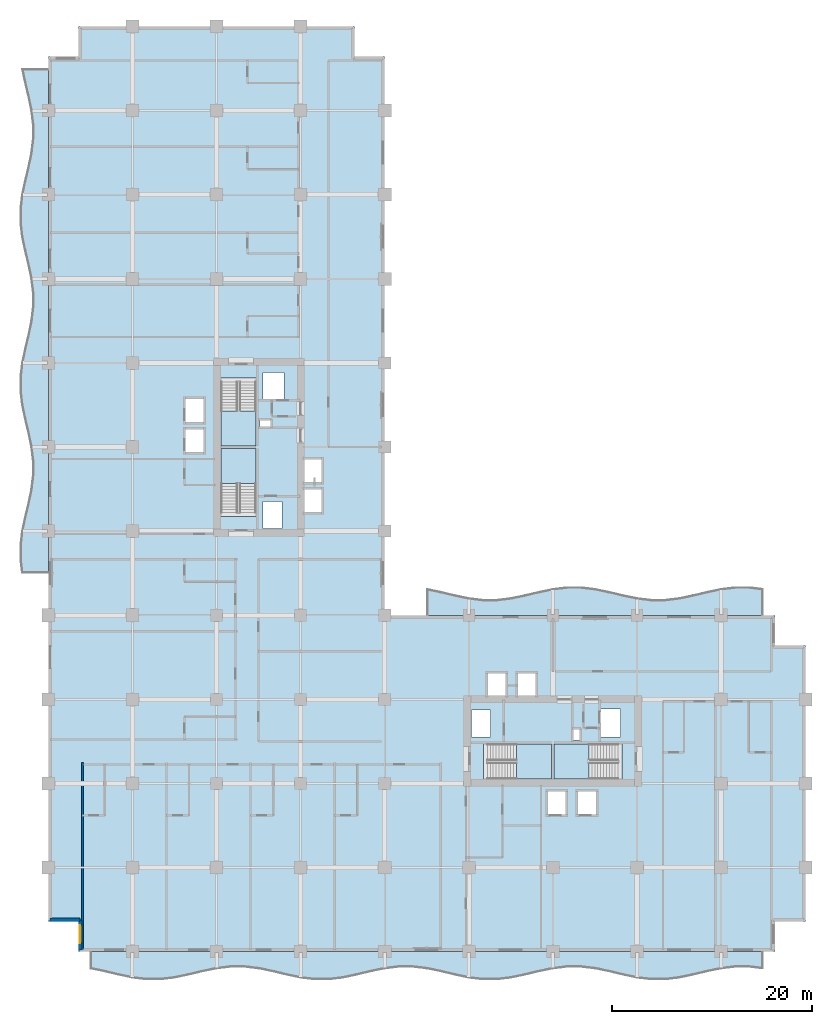
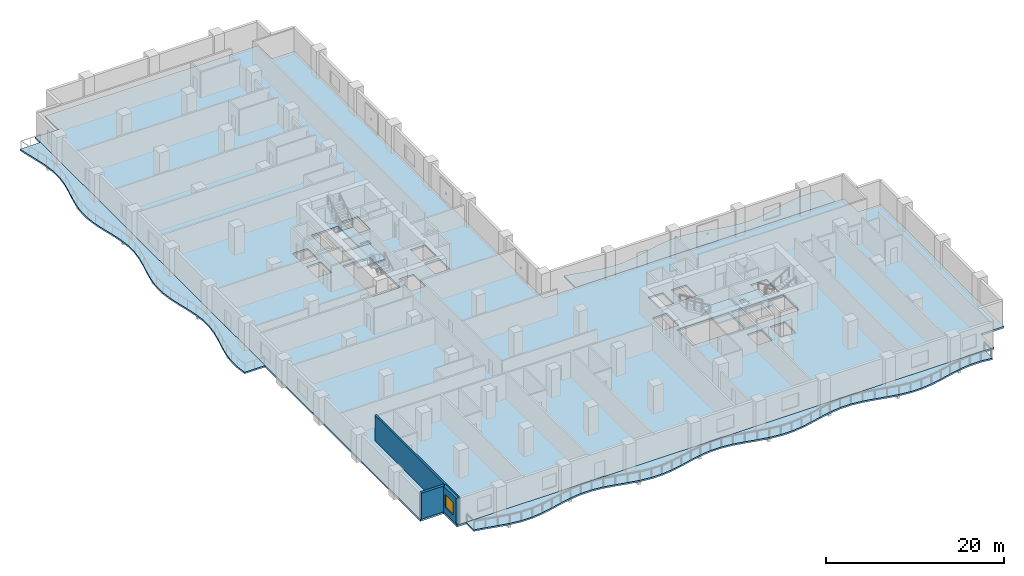
# One storey, part 3 of 18: 8 slabs, 3 walls, 1 window, 1 opening, 4 elements without a shape of their own.
"""IFC4 building model written with IfcOpenShell, lengths in metres."""

from ifc_helpers import new_model, si_unit, direction, frame, frame_2d, origin, place, context, subcontext, project, spatial, polyline, rectangle, outline, extrude, material, layer, layer_set, type_object, element, fill, aggregate, save


model = new_model("IFC4")

# Units and contexts
model_context = context("Model", 3, precision=1e-05, world=origin(), true_north=direction((0.0, 1.0)))
body_context = subcontext(model_context, "Body", "Model", "MODEL_VIEW")
ifc_project = project(units=[si_unit("LENGTHUNIT", "METRE"), si_unit("AREAUNIT", "SQUARE_METRE"), si_unit("VOLUMEUNIT", "CUBIC_METRE"), si_unit("PLANEANGLEUNIT", "RADIAN"), si_unit("MASSUNIT", "GRAM", prefix="KILO")], contexts=[model_context])

# Site, building, storey
site_placement = place(None, origin())
site = spatial("IfcSite", under=ifc_project, at=site_placement, CompositionType="ELEMENT")
building_placement = place(site_placement, origin())
building = spatial("IfcBuilding", under=site, at=building_placement, Name="Koriwani Terraces Tower", CompositionType="ELEMENT")
storey_placement = place(building_placement, frame((0.0, 0.0, 107.60009765625)))
storey = spatial("IfcBuildingStorey", under=building, at=storey_placement, Name="L25", CompositionType="ELEMENT", Elevation=107.60009765625)

# Slabs
ifc_material_1 = material(Name="Concrete C40/50", Category="concrete")
ifc_layer_1 = layer(ifc_material_1, 0.219970703125, Name="Concrete C40/50")
ifc_layer_set_1 = layer_set([ifc_layer_1], Name="Concrete C40/50")
slab_type_1 = type_object("IfcSlabType", Name="SLAB_BALCONY_220", PredefinedType="FLOOR", material=ifc_layer_set_1)
slab_1_placement = place(storey_placement, frame((0.0, 0.0, -0.22021484375)))
element("IfcSlab", 1, at=slab_1_placement, inside=storey, type_object=slab_type_1, Name="L25 Quilted Circular-Arc Balcony (S)", PredefinedType="FLOOR", context=body_context, shape_type="SweptSolid", body=[
    extrude(outline(polyline([(4.199951171875, 0.0), (5.60009765625, 0.0), (7.0, 0.0), (8.39990234375, 0.0), (9.800048828125, 0.0), (11.199951171875, 0.0), (12.60009765625, 0.0), (14.0, 0.0), (15.39990234375, 0.0), (16.800048828125, 0.0), (18.199951171875, 0.0), (19.60009765625, 0.0), (21.0, 0.0), (22.39990234375, 0.0), (23.800048828125, 0.0), (25.199951171875, 0.0), (26.60009765625, 0.0), (28.0, 0.0), (29.39990234375, 0.0), (30.800048828125, 0.0), (32.199951171875, 0.0), (33.60009765625, 0.0), (35.0, 0.0), (36.39990234375, 0.0), (37.800048828125, 0.0), (39.199951171875, 0.0), (40.60009765625, 0.0), (42.0, 0.0), (43.39990234375, 0.0), (44.800048828125, 0.0), (46.199951171875, 0.0), (47.60009765625, 0.0), (49.0, 0.0), (50.39990234375, 0.0), (51.800048828125, 0.0), (53.199951171875, 0.0), (54.60009765625, 0.0), (56.0, 0.0), (57.39990234375, 0.0), (58.800048828125, 0.0), (60.199951171875, 0.0), (61.60009765625, 0.0), (63.0, 0.0), (64.39990234375, 0.0), (65.800048828125, 0.0), (67.199951171875, 0.0), (68.60009765625, 0.0), (70.0, 0.0), (71.39990234375, 0.0), (71.39990234375, -1.740478515625), (70.0, -1.572021484375), (68.60009765625, -1.572021484375), (67.199951171875, -1.740478515625), (65.800048828125, -2.03173828125), (64.39990234375, -2.3681640625), (63.0, -2.65966796875), (61.60009765625, -2.827880859375), (60.199951171875, -2.827880859375), (58.800048828125, -2.65966796875), (57.39990234375, -2.3681640625), (56.0, -2.03173828125), (54.60009765625, -1.740478515625), (53.199951171875, -1.572021484375), (51.800048828125, -1.572021484375), (50.39990234375, -1.740478515625), (49.0, -2.03173828125), (47.60009765625, -2.3681640625), (46.199951171875, -2.65966796875), (44.800048828125, -2.827880859375), (43.39990234375, -2.827880859375), (42.0, -2.65966796875), (40.60009765625, -2.3681640625), (39.199951171875, -2.03173828125), (37.800048828125, -1.740478515625), (36.39990234375, -1.572021484375), (35.0, -1.572021484375), (33.60009765625, -1.740478515625), (32.199951171875, -2.03173828125), (30.800048828125, -2.3681640625), (29.39990234375, -2.65966796875), (28.0, -2.827880859375), (26.60009765625, -2.827880859375), (25.199951171875, -2.65966796875), (23.800048828125, -2.3681640625), (22.39990234375, -2.03173828125), (21.0, -1.740478515625), (19.60009765625, -1.572021484375), (18.199951171875, -1.572021484375), (16.800048828125, -1.740478515625), (15.39990234375, -2.03173828125), (14.0, -2.3681640625), (12.60009765625, -2.65966796875), (11.199951171875, -2.827880859375), (9.800048828125, -2.827880859375), (8.39990234375, -2.65966796875), (7.0, -2.3681640625), (5.60009765625, -2.03173828125), (4.199951171875, -1.740478515625), (4.199951171875, 0.0)])), origin(), (0.0, 0.0, 1.0), 0.22021484375),
])
slab_2_placement = place(storey_placement, frame((0.0, 0.0, -0.22021484375)))
element("IfcSlab", 2, at=slab_2_placement, inside=storey, type_object=slab_type_1, Name="L25 Quilted Circular-Arc Balcony (W)", PredefinedType="FLOOR", context=body_context, shape_type="SweptSolid", body=[
    extrude(outline(polyline([(0.0, 37.800048828125), (0.0, 39.199951171875), (0.0, 40.60009765625), (0.0, 42.0), (0.0, 43.39990234375), (0.0, 44.800048828125), (0.0, 46.199951171875), (0.0, 47.60009765625), (0.0, 49.0), (0.0, 50.39990234375), (0.0, 51.800048828125), (0.0, 53.199951171875), (0.0, 54.60009765625), (0.0, 56.0), (0.0, 57.39990234375), (0.0, 58.800048828125), (0.0, 60.199951171875), (0.0, 61.60009765625), (0.0, 63.0), (0.0, 64.39990234375), (0.0, 65.800048828125), (0.0, 67.199951171875), (0.0, 68.60009765625), (0.0, 70.0), (0.0, 71.39990234375), (0.0, 72.800048828125), (0.0, 74.199951171875), (0.0, 75.60009765625), (0.0, 77.0), (0.0, 78.39990234375), (0.0, 79.800048828125), (0.0, 81.199951171875), (0.0, 82.60009765625), (0.0, 84.0), (0.0, 85.39990234375), (0.0, 86.800048828125), (0.0, 88.199951171875), (-2.65966796875, 88.199951171875), (-2.3681640625, 86.800048828125), (-2.03173828125, 85.39990234375), (-1.740478515625, 84.0), (-1.572021484375, 82.60009765625), (-1.572021484375, 81.199951171875), (-1.740478515625, 79.800048828125), (-2.03173828125, 78.39990234375), (-2.3681640625, 77.0), (-2.65966796875, 75.60009765625), (-2.827880859375, 74.199951171875), (-2.827880859375, 72.800048828125), (-2.65966796875, 71.39990234375), (-2.3681640625, 70.0), (-2.03173828125, 68.60009765625), (-1.740478515625, 67.199951171875), (-1.572021484375, 65.800048828125), (-1.572021484375, 64.39990234375), (-1.740478515625, 63.0), (-2.03173828125, 61.60009765625), (-2.3681640625, 60.199951171875), (-2.65966796875, 58.800048828125), (-2.827880859375, 57.39990234375), (-2.827880859375, 56.0), (-2.65966796875, 54.60009765625), (-2.3681640625, 53.199951171875), (-2.03173828125, 51.800048828125), (-1.740478515625, 50.39990234375), (-1.572021484375, 49.0), (-1.572021484375, 47.60009765625), (-1.740478515625, 46.199951171875), (-2.03173828125, 44.800048828125), (-2.3681640625, 43.39990234375), (-2.65966796875, 42.0), (-2.827880859375, 40.60009765625), (-2.827880859375, 39.199951171875), (-2.65966796875, 37.800048828125), (0.0, 37.800048828125)])), origin(), (0.0, 0.0, 1.0), 0.22021484375),
])
slab_3_placement = place(storey_placement, frame((0.0, 0.0, -0.22021484375)))
element("IfcSlab", 3, at=slab_3_placement, inside=storey, type_object=slab_type_1, Name="L25 Quilted Circular-Arc Balcony (NE)", PredefinedType="FLOOR", context=body_context, shape_type="SweptSolid", body=[
    extrude(outline(polyline([(71.39990234375, 33.60009765625), (70.0, 33.60009765625), (68.60009765625, 33.60009765625), (67.199951171875, 33.60009765625), (65.800048828125, 33.60009765625), (64.39990234375, 33.60009765625), (63.0, 33.60009765625), (61.60009765625, 33.60009765625), (60.199951171875, 33.60009765625), (58.800048828125, 33.60009765625), (57.39990234375, 33.60009765625), (56.0, 33.60009765625), (54.60009765625, 33.60009765625), (53.199951171875, 33.60009765625), (51.800048828125, 33.60009765625), (50.39990234375, 33.60009765625), (49.0, 33.60009765625), (47.60009765625, 33.60009765625), (46.199951171875, 33.60009765625), (44.800048828125, 33.60009765625), (43.39990234375, 33.60009765625), (42.0, 33.60009765625), (40.60009765625, 33.60009765625), (39.199951171875, 33.60009765625), (37.800048828125, 33.60009765625), (37.800048828125, 36.259521484375), (39.199951171875, 35.96826171875), (40.60009765625, 35.6318359375), (42.0, 35.34033203125), (43.39990234375, 35.172119140625), (44.800048828125, 35.172119140625), (46.199951171875, 35.34033203125), (47.60009765625, 35.6318359375), (49.0, 35.96826171875), (50.39990234375, 36.259521484375), (51.800048828125, 36.427978515625), (53.199951171875, 36.427978515625), (54.60009765625, 36.259521484375), (56.0, 35.96826171875), (57.39990234375, 35.6318359375), (58.800048828125, 35.34033203125), (60.199951171875, 35.172119140625), (61.60009765625, 35.172119140625), (63.0, 35.34033203125), (64.39990234375, 35.6318359375), (65.800048828125, 35.96826171875), (67.199951171875, 36.259521484375), (68.60009765625, 36.427978515625), (70.0, 36.427978515625), (71.39990234375, 36.259521484375), (71.39990234375, 33.60009765625)])), origin(), (0.0, 0.0, 1.0), 0.22021484375),
])

# Stair, slab
stair_type = type_object("IfcStairType", Name="STAIR_CORE_DOGLEG_1650", PredefinedType="TWO_STRAIGHT_RUN_STAIR", material=ifc_material_1)
stair_1_placement = place(storey_placement, origin())
stair_1 = element("IfcStair", 4, at=stair_1_placement, inside=storey, type_object=stair_type, Name="L25 West Core Exit Stair 1", PredefinedType="HALF_TURN_STAIR")
ifc_layer_2 = layer(ifc_material_1, 0.199951171875, Name="Concrete C40/50")
ifc_layer_set_2 = layer_set([ifc_layer_2], Name="Concrete C40/50")
slab_type_2 = type_object("IfcSlabType", Name="SLAB_STAIR_LANDING_200", PredefinedType="LANDING", material=ifc_layer_set_2)
slab_4_placement = place(storey_placement, frame((0.0, 0.0, 1.699951171875)))
slab_4 = element("IfcSlab", 5, at=slab_4_placement, type_object=slab_type_2, Name="ST-W1 landing 1", PredefinedType="LANDING", context=body_context, shape_type="SweptSolid", body=[
    extrude(outline(polyline([(20.75, 46.75), (20.75, 50.25), (17.25, 50.25), (17.25, 46.75), (20.75, 46.75)])), origin(), (0.0, 0.0, 1.0), 0.199951171875),
])
aggregate(stair_1, [slab_4])

stair_2_placement = place(storey_placement, origin())
stair_2 = element("IfcStair", 6, at=stair_2_placement, inside=storey, type_object=stair_type, Name="L25 West Core Exit Stair 2", PredefinedType="HALF_TURN_STAIR")
slab_5_placement = place(storey_placement, frame((0.0, 0.0, 1.699951171875)))
slab_5 = element("IfcSlab", 7, at=slab_5_placement, type_object=slab_type_2, Name="ST-W2 landing 1", PredefinedType="LANDING", context=body_context, shape_type="SweptSolid", body=[
    extrude(outline(polyline([(17.25, 54.0), (17.25, 50.5), (20.75, 50.5), (20.75, 54.0), (17.25, 54.0)])), origin(), (0.0, 0.0, 1.0), 0.199951171875),
])
aggregate(stair_2, [slab_5])

stair_3_placement = place(storey_placement, origin())
stair_3 = element("IfcStair", 8, at=stair_3_placement, inside=storey, type_object=stair_type, Name="L25 East Core Exit Stair 1", PredefinedType="HALF_TURN_STAIR")
slab_6_placement = place(storey_placement, frame((0.0, 0.0, 1.699951171875)))
slab_6 = element("IfcSlab", 9, at=slab_6_placement, type_object=slab_type_2, Name="ST-E1 landing 1", PredefinedType="LANDING", context=body_context, shape_type="SweptSolid", body=[
    extrude(outline(polyline([(46.75, 17.25), (50.25, 17.25), (50.25, 20.75), (46.75, 20.75), (46.75, 17.25)])), origin(), (0.0, 0.0, 1.0), 0.199951171875),
])
aggregate(stair_3, [slab_6])

stair_4_placement = place(storey_placement, origin())
stair_4 = element("IfcStair", 10, at=stair_4_placement, inside=storey, type_object=stair_type, Name="L25 East Core Exit Stair 2", PredefinedType="HALF_TURN_STAIR")
slab_7_placement = place(storey_placement, frame((0.0, 0.0, 1.699951171875)))
slab_7 = element("IfcSlab", 11, at=slab_7_placement, type_object=slab_type_2, Name="ST-E2 landing 1", PredefinedType="LANDING", context=body_context, shape_type="SweptSolid", body=[
    extrude(outline(polyline([(54.0, 20.75), (50.5, 20.75), (50.5, 17.25), (54.0, 17.25), (54.0, 20.75)])), origin(), (0.0, 0.0, 1.0), 0.199951171875),
])
aggregate(stair_4, [slab_7])

# Slab
ifc_layer_3 = layer(ifc_material_1, 0.25, Name="Concrete C40/50")
ifc_layer_set_3 = layer_set([ifc_layer_3], Name="Concrete C40/50")
slab_type_3 = type_object("IfcSlabType", Name="SLAB_TOWER_TYP_250", PredefinedType="FLOOR", material=ifc_layer_set_3)
slab_8_placement = place(storey_placement, frame((0.0, 0.0, -0.25)))
element("IfcSlab", 12, at=slab_8_placement, inside=storey, type_object=slab_type_3, Name="L25 Structural Floor Slab", PredefinedType="FLOOR", context=body_context, shape_type="SweptSolid", body=[
    extrude(outline(polyline([(3.0, 0.0), (72.60009765625, 0.0), (72.60009765625, 3.0), (75.60009765625, 3.0), (75.60009765625, 30.60009765625), (72.60009765625, 30.60009765625), (72.60009765625, 33.60009765625), (33.60009765625, 33.60009765625), (33.60009765625, 89.39990234375), (30.60009765625, 89.39990234375), (30.60009765625, 92.39990234375), (3.0, 92.39990234375), (3.0, 89.39990234375), (0.0, 89.39990234375), (0.0, 3.0), (3.0, 3.0), (3.0, 0.0)]), holes=[polyline([(17.25, 43.4599609375), (20.75, 43.4599609375), (20.75, 50.25), (17.25, 50.25), (17.25, 43.4599609375)]), polyline([(17.25, 50.5), (20.75, 50.5), (20.75, 57.2900390625), (17.25, 57.2900390625), (17.25, 50.5)]), polyline([(43.4599609375, 17.25), (50.25, 17.25), (50.25, 20.75), (43.4599609375, 20.75), (43.4599609375, 17.25)]), polyline([(50.5, 17.25), (57.2900390625, 17.25), (57.2900390625, 20.75), (50.5, 20.75), (50.5, 17.25)]), polyline([(13.64990234375, 49.85009765625), (15.550048828125, 49.85009765625), (15.550048828125, 52.25), (13.64990234375, 52.25), (13.64990234375, 49.85009765625)]), polyline([(13.64990234375, 52.85009765625), (15.550048828125, 52.85009765625), (15.550048828125, 55.25), (13.64990234375, 55.25), (13.64990234375, 52.85009765625)]), polyline([(49.85009765625, 13.64990234375), (51.75, 13.64990234375), (51.75, 16.050048828125), (49.85009765625, 16.050048828125), (49.85009765625, 13.64990234375)]), polyline([(52.85009765625, 13.64990234375), (54.75, 13.64990234375), (54.75, 16.050048828125), (52.85009765625, 16.050048828125), (52.85009765625, 13.64990234375)]), polyline([(25.449951171875, 43.85009765625), (27.35009765625, 43.85009765625), (27.35009765625, 46.25), (25.449951171875, 46.25), (25.449951171875, 43.85009765625)]), polyline([(25.449951171875, 46.85009765625), (27.35009765625, 46.85009765625), (27.35009765625, 49.25), (25.449951171875, 49.25), (25.449951171875, 46.85009765625)]), polyline([(43.85009765625, 25.449951171875), (45.75, 25.449951171875), (45.75, 27.85009765625), (43.85009765625, 27.85009765625), (43.85009765625, 25.449951171875)]), polyline([(46.85009765625, 25.449951171875), (48.75, 25.449951171875), (48.75, 27.85009765625), (46.85009765625, 27.85009765625), (46.85009765625, 25.449951171875)]), polyline([(21.449951171875, 55.050048828125), (23.550048828125, 55.050048828125), (23.550048828125, 57.85009765625), (21.449951171875, 57.85009765625), (21.449951171875, 55.050048828125)]), polyline([(55.050048828125, 21.449951171875), (57.14990234375, 21.449951171875), (57.14990234375, 24.25), (55.050048828125, 24.25), (55.050048828125, 21.449951171875)]), polyline([(21.449951171875, 42.25), (23.35009765625, 42.25), (23.35009765625, 44.949951171875), (21.449951171875, 44.949951171875), (21.449951171875, 42.25)]), polyline([(42.25, 21.449951171875), (44.14990234375, 21.449951171875), (44.14990234375, 24.14990234375), (42.25, 24.14990234375), (42.25, 21.449951171875)]), polyline([(21.14990234375, 52.419921875), (22.219970703125, 52.419921875), (22.219970703125, 53.179931640625), (21.14990234375, 53.179931640625), (21.14990234375, 52.419921875)]), polyline([(52.419921875, 21.14990234375), (53.179931640625, 21.14990234375), (53.179931640625, 22.219970703125), (52.419921875, 22.219970703125), (52.419921875, 21.14990234375)])]), origin(), (0.0, 0.0, 1.0), 0.25),
])

# Wall
ifc_material_2 = material(Name="Autoclaved Cellular Concrete Blockwork", Category="masonry")
ifc_layer_4 = layer(ifc_material_2, 0.219970703125, Name="Autoclaved Cellular Concrete Blockwork")
ifc_layer_set_4 = layer_set([ifc_layer_4], Name="Autoclaved Cellular Concrete Blockwork")
wall_type_1 = type_object("IfcWallType", Name="WALL_DEMISING_220", PredefinedType="PARTITIONING", material=ifc_layer_set_4)
wall_1_placement = place(storey_placement, frame((3.39990234375, 0.199951171875, 0.0), z_axis=(0.0, 0.0, 1.0), x_axis=(0.0, 1.0, 0.0)))
element("IfcWall", 13, at=wall_1_placement, inside=storey, type_object=wall_type_1, Name="L25 Interior Wall WDEM-L25-SW-0", PredefinedType="PARTITIONING", context=body_context, shape_type="SweptSolid", body=[
    extrude(rectangle(XDim=18.679931640625, YDim=0.219970703125, at=frame_2d((9.33984375, 0.0))), origin(), (0.0, 0.0, 1.0), 3.5498046875),
])

# Wall, opening, window
ifc_material_3 = material(Name="Concrete C50/60", Category="concrete")
ifc_layer_5 = layer(ifc_material_3, 0.35009765625, Name="Concrete C50/60")
ifc_layer_set_5 = layer_set([ifc_layer_5], Name="Concrete C50/60")
wall_type_2 = type_object("IfcWallType", Name="WALL_EXT_BRUTALIST_350", PredefinedType="STANDARD", material=ifc_layer_set_5)
wall_2_placement = place(storey_placement, frame((3.175048828125, 0.175048828125, 0.0), z_axis=(0.0, 0.0, 1.0), x_axis=(0.0, 1.0, 0.0)))
wall_2 = element("IfcWall", 14, at=wall_2_placement, inside=storey, type_object=wall_type_2, Name="L25 Fair-Faced Brutalist Exterior Wall (N0)", PredefinedType="STANDARD", context=body_context, shape_type="SweptSolid", body=[
    extrude(rectangle(XDim=3.0, YDim=0.35009765625, at=frame_2d((1.5, 0.0))), origin(), (0.0, 0.0, 1.0), 3.5498046875),
])
opening_placement = place(wall_2_placement, frame((0.677490234375, 0.0, 0.85009765625)))
opening = element("IfcOpeningElement", 15, at=opening_placement, cuts=wall_2, Name="Opening W-04", PredefinedType="OPENING", context=body_context, shape_type="SweptSolid", body=[
    extrude(rectangle(XDim=1.800048828125, YDim=1.800048828125, at=frame_2d((0.89990234375, 0.89990234375))), frame((0.0, 0.18505859375, 0.0), z_axis=(0.0, -1.0, 0.0), x_axis=(1.0, 0.0, 0.0)), (0.0, 0.0, 1.0), 0.3701171875),
])
ifc_material_4 = material(Name="Tempered Laminated Low-E Glass", Category="glass")
window_type = type_object("IfcWindowType", Name="WIN_RES_BED_1800X1800", PartitioningType="DOUBLE_PANEL_VERTICAL", PredefinedType="WINDOW", material=ifc_material_4)
window_placement = place(opening_placement, origin())
window = element("IfcWindow", 16, at=window_placement, inside=storey, type_object=window_type, Name="L25 Exterior Window (N0-R34)", OverallHeight=1.800048828125, OverallWidth=1.800048828125, PartitioningType="SINGLE_PANEL", PredefinedType="WINDOW", context=body_context, shape_type="SweptSolid", body=[
    extrude(rectangle(XDim=1.800048828125, YDim=1.800048828125, at=frame_2d((0.89990234375, 0.89990234375))), frame((0.0, 0.030029296875, 0.0), z_axis=(0.0, -1.0, 0.0), x_axis=(1.0, 0.0, 0.0)), (0.0, 0.0, 1.0), 0.06005859375),
])
fill(opening, window)

# Wall
wall_3_placement = place(storey_placement, frame((3.175048828125, 3.175048828125, 0.0), z_axis=(0.0, 0.0, 1.0), x_axis=(-1.0, 0.0, 0.0)))
element("IfcWall", 17, at=wall_3_placement, inside=storey, type_object=wall_type_2, Name="L25 Fair-Faced Brutalist Exterior Wall (N1)", PredefinedType="STANDARD", context=body_context, shape_type="SweptSolid", body=[
    extrude(rectangle(XDim=3.0, YDim=0.35009765625, at=frame_2d((1.5, 0.0))), origin(), (0.0, 0.0, 1.0), 3.5498046875),
])

save(model, "model.ifc")
